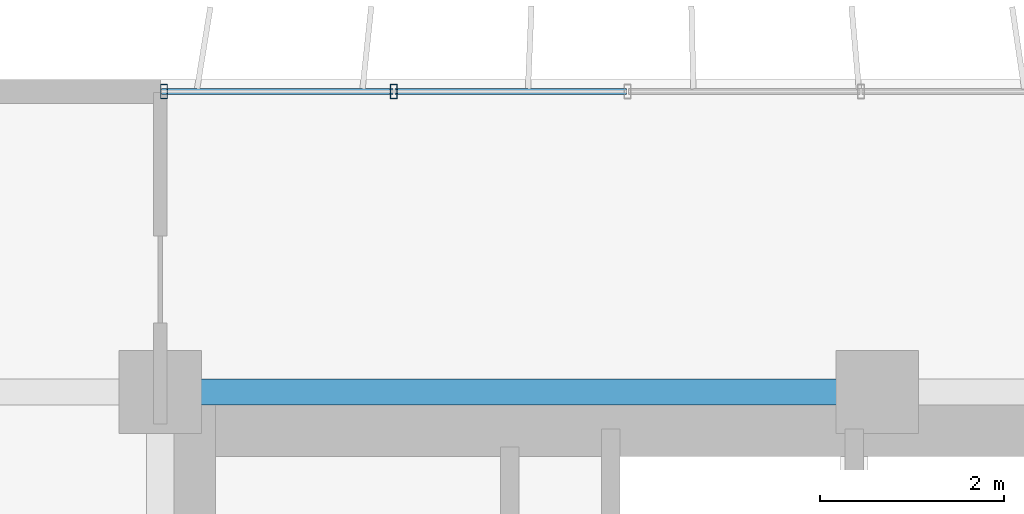
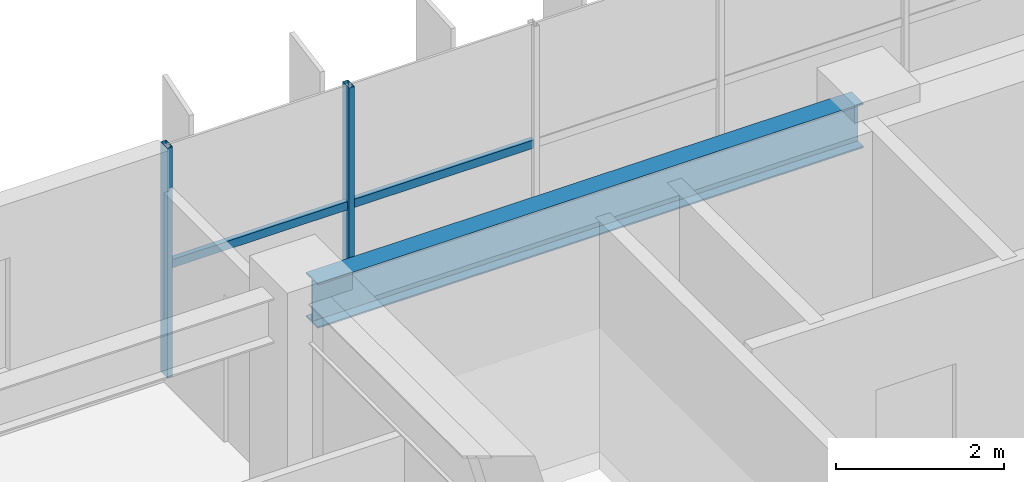
# One storey, part 5 of 23: 4 members, 1 beam, 1 element without a shape of its own.
"""IFC4 building model written with IfcOpenShell, lengths in metres."""

from ifc_helpers import new_model, si_unit, direction, frame, origin, origin_2d, place, context, subcontext, project, spatial, hollow_rectangle, i_section, extrude, source, transform, mapped, material, material_profile, profile_set, type_object, element, aggregate, save


model = new_model("IFC4")

# Units and contexts
model_context = context("Model", 3, precision=1e-05, world=origin(), true_north=direction((0.0, 1.0)))
body_context = subcontext(model_context, "Body", "Model", "MODEL_VIEW")
ifc_project = project(units=[si_unit("LENGTHUNIT", "METRE"), si_unit("AREAUNIT", "SQUARE_METRE"), si_unit("VOLUMEUNIT", "CUBIC_METRE"), si_unit("PLANEANGLEUNIT", "RADIAN"), si_unit("MASSUNIT", "GRAM", prefix="KILO")], contexts=[model_context])

# Site, building, storey
site_placement = place(None, origin())
site = spatial("IfcSite", under=ifc_project, at=site_placement, CompositionType="ELEMENT")
building_placement = place(site_placement, origin())
building = spatial("IfcBuilding", under=site, at=building_placement, Name="Trelvane Seafront Commons", CompositionType="ELEMENT")
storey_placement = place(building_placement, frame((0.0, 0.0, 63.10009765625)))
storey = spatial("IfcBuildingStorey", under=building, at=storey_placement, Name="L16", CompositionType="ELEMENT", Elevation=63.10009765625)

# Beam
ifc_material_1 = material(Name="Steel SM355 (S355)", Category="steel")
ifc_material_profile_1 = material_profile(ifc_material_1, i_section(OverallWidth=0.280029296875, OverallDepth=0.64990234375, WebThickness=0.012939453125, FlangeThickness=0.02197265625, at=origin_2d()), Name="H-650x280x13x22")
ifc_profile_set_1 = profile_set([ifc_material_profile_1], Name="Steel SM355 (S355)")
beam_type = type_object("IfcBeamType", Name="STR-BM-H650", PredefinedType="BEAM", material=ifc_profile_set_1)
shared_shape_1 = source(origin(), body_context, "Body", "SweptSolid", [
    extrude(i_section(OverallWidth=0.280029296875, OverallDepth=0.64990234375, WebThickness=0.012939453125, FlangeThickness=0.02197265625, at=origin_2d()), origin(), (0.0, 0.0, 1.0), 7.5),
])
beam_placement = place(storey_placement, frame((15.75, 45.10009765625, 3.014892578125), z_axis=(1.0, 0.0, 0.0), x_axis=(0.0, 1.0, 0.0)))
element("IfcBeam", 1, at=beam_placement, inside=storey, type_object=beam_type, Name="L16 Primary Girder G-30", PredefinedType="BEAM", context=body_context, shape_type="MappedRepresentation", body=[
    mapped(shared_shape_1, transform((0.0, 0.0, 0.0), x_axis=(1.0, 0.0, 0.0), y_axis=(0.0, 1.0, 0.0), z_axis=(0.0, 0.0, 1.0), scale=1.0)),
])

# Curtain wall, members
ifc_material_2 = material(Name="Anodised pale-silver aluminium", Category="aluminium")
curtain_wall_type = type_object("IfcCurtainWallType", Name="ARCH-CW2-LOWTOWER", PredefinedType="NOTDEFINED", material=ifc_material_2)
curtain_wall_placement = place(storey_placement, origin())
curtain_wall = element("IfcCurtainWall", 2, at=curtain_wall_placement, inside=storey, type_object=curtain_wall_type, Name="CW-L16-0040", PredefinedType="NOTDEFINED")
ifc_material_profile_2 = material_profile(ifc_material_2, hollow_rectangle(XDim=0.070068359375, YDim=0.1201171875, WallThickness=0.00390625, at=origin_2d()), Name="TRAN-70x120x4")
ifc_profile_set_2 = profile_set([ifc_material_profile_2], Name="Anodised pale-silver aluminium")
member_type_1 = type_object("IfcMemberType", Name="ARCH-CW-TRAN-120", PredefinedType="USERDEFINED", material=ifc_profile_set_2)
shared_shape_2 = source(origin(), body_context, "Body", "SweptSolid", [
    extrude(hollow_rectangle(XDim=0.070068359375, YDim=0.1201171875, WallThickness=0.00390625, at=origin_2d()), origin(), (0.0, 0.0, 1.0), 2.51708984375),
])
member_1_placement = place(storey_placement, frame((15.612060546875, 48.3701171875, 1.602783203125), z_axis=(1.0, 0.0, 0.0), x_axis=(0.0, 1.0, 0.0)))
member_1 = element("IfcMember", 3, at=member_1_placement, type_object=member_type_1, Name="CW-L16-0040-T00", ObjectType="TRANSOM", PredefinedType="USERDEFINED", context=body_context, shape_type="MappedRepresentation", body=[
    mapped(shared_shape_2, transform((0.0, 0.0, 0.0), x_axis=(1.0, 0.0, 0.0), y_axis=(0.0, 1.0, 0.0), z_axis=(0.0, 0.0, 1.0), scale=1.0)),
])
member_2_placement = place(storey_placement, frame((18.1533203125, 48.3701171875, 1.602783203125), z_axis=(1.0, 0.0, 0.0), x_axis=(0.0, 1.0, 0.0)))
member_2 = element("IfcMember", 4, at=member_2_placement, type_object=member_type_1, Name="CW-L16-0040-T01", ObjectType="TRANSOM", PredefinedType="USERDEFINED", context=body_context, shape_type="MappedRepresentation", body=[
    mapped(shared_shape_2, transform((0.0, 0.0, 0.0), x_axis=(1.0, 0.0, 0.0), y_axis=(0.0, 1.0, 0.0), z_axis=(0.0, 0.0, 1.0), scale=1.0)),
])
ifc_material_profile_3 = material_profile(ifc_material_2, hollow_rectangle(XDim=0.074951171875, YDim=0.159912109375, WallThickness=0.00390625, at=origin_2d()), Name="MULL-75x160x4")
ifc_profile_set_3 = profile_set([ifc_material_profile_3], Name="Anodised pale-silver aluminium")
member_type_2 = type_object("IfcMemberType", Name="ARCH-CW-MULL-160", PredefinedType="MULLION", material=ifc_profile_set_3)
shared_shape_3 = source(origin(), body_context, "Body", "SweptSolid", [
    extrude(hollow_rectangle(XDim=0.074951171875, YDim=0.159912109375, WallThickness=0.00390625, at=origin_2d()), origin(), (0.0, 0.0, 1.0), 3.33984375),
])
member_3_placement = place(storey_placement, frame((15.639892578125, 48.3701171875, 0.0), z_axis=(0.0, 0.0, 1.0), x_axis=(1.0, 0.0, 0.0)))
member_3 = element("IfcMember", 5, at=member_3_placement, type_object=member_type_2, Name="CW-L16-0040-M00", PredefinedType="MULLION", context=body_context, shape_type="MappedRepresentation", body=[
    mapped(shared_shape_3, transform((0.0, 0.0, 0.0), x_axis=(1.0, 0.0, 0.0), y_axis=(0.0, 1.0, 0.0), z_axis=(0.0, 0.0, 1.0), scale=1.0)),
])
member_4_placement = place(storey_placement, frame((18.14111328125, 48.3701171875, 0.0), z_axis=(0.0, 0.0, 1.0), x_axis=(1.0, 0.0, 0.0)))
member_4 = element("IfcMember", 6, at=member_4_placement, type_object=member_type_2, Name="CW-L16-0040-M01", PredefinedType="MULLION", context=body_context, shape_type="MappedRepresentation", body=[
    mapped(shared_shape_3, transform((0.0, 0.0, 0.0), x_axis=(1.0, 0.0, 0.0), y_axis=(0.0, 1.0, 0.0), z_axis=(0.0, 0.0, 1.0), scale=1.0)),
])
aggregate(curtain_wall, [member_3, member_4, member_1, member_2])

save(model, "model.ifc")
